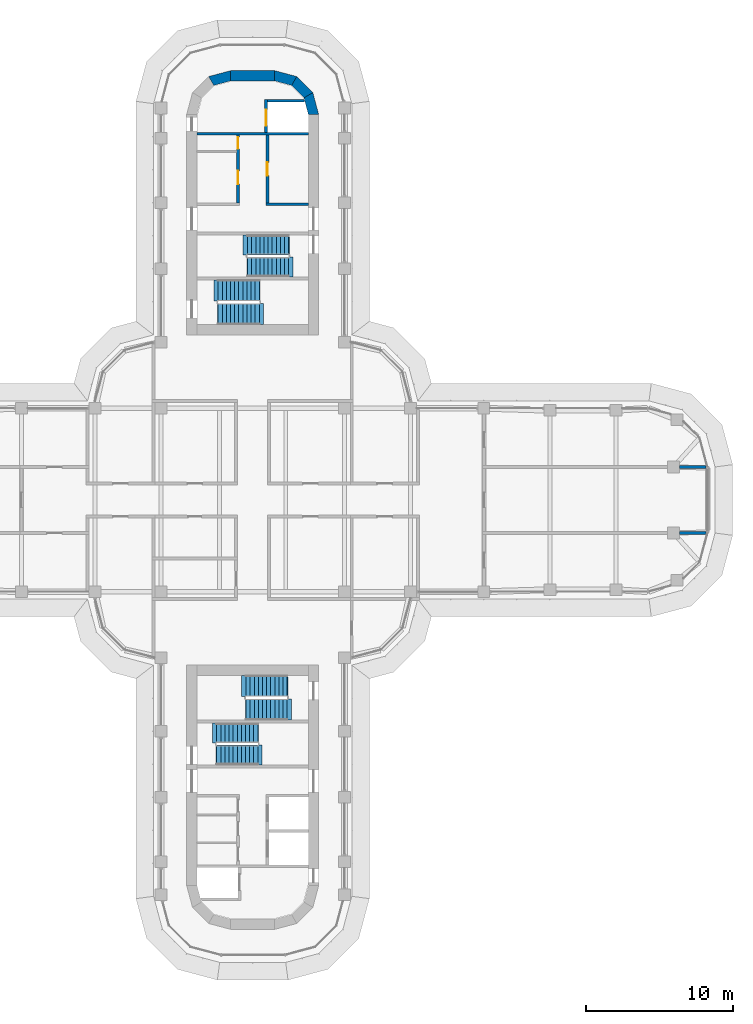
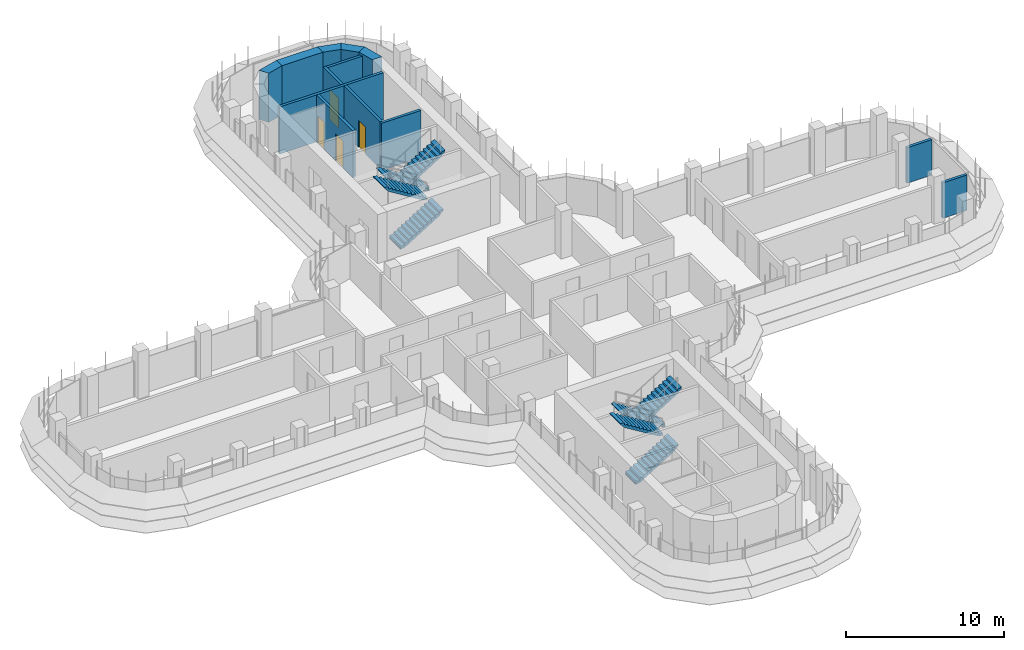
# One storey, part 15 of 19: 13 walls, 8 stair flights, 4 doors, 4 openings, 4 elements without a shape of their own.
"""IFC4 building model written with IfcOpenShell, lengths in metres."""

from ifc_helpers import new_model, si_unit, direction, frame, frame_2d, origin, place, context, subcontext, project, spatial, polyline, rectangle, outline, extrude, material, layer, layer_set, type_object, element, fill, aggregate, save


model = new_model("IFC4")

# Units and contexts
model_context = context("Model", 3, precision=1e-05, world=origin(), true_north=direction((0.0, 1.0)))
body_context = subcontext(model_context, "Body", "Model", "MODEL_VIEW")
ifc_project = project(units=[si_unit("LENGTHUNIT", "METRE"), si_unit("AREAUNIT", "SQUARE_METRE"), si_unit("VOLUMEUNIT", "CUBIC_METRE"), si_unit("PLANEANGLEUNIT", "RADIAN"), si_unit("MASSUNIT", "GRAM", prefix="KILO")], contexts=[model_context])

# Site, building, storey
site_placement = place(None, origin())
site = spatial("IfcSite", under=ifc_project, at=site_placement, CompositionType="ELEMENT")
building_placement = place(site_placement, origin())
building = spatial("IfcBuilding", under=site, at=building_placement, Name="Zarbagh Exchange Tower", CompositionType="ELEMENT")
storey_placement = place(building_placement, frame((0.0, 0.0, 175.199951171875)))
storey = spatial("IfcBuildingStorey", under=building, at=storey_placement, Name="L42", CompositionType="ELEMENT", Elevation=175.199951171875)

# Walls
ifc_material_1 = material(Name="Fire-rated plasterboard partition")
ifc_layer_1 = layer(ifc_material_1, 0.199951171875)
ifc_layer_set_1 = layer_set([ifc_layer_1], Name="RATED PARTITION 200")
wall_type_1 = type_object("IfcWallType", Name="RATED PARTITION 200", PredefinedType="PARTITIONING", material=ifc_layer_set_1)
for number, where, z_axis, x_axis, name in (
    (1, (29.070068359375, -2.25, 0.0), (0.0, 0.0, 1.0), (1.0, 0.0, 0.0), "Partition W-1839"),
    (2, (29.070068359375, 2.25, 0.0), (0.0, 0.0, 1.0), (1.0, 0.0, 0.0), "Partition W-1841"),
):
    element("IfcWall", number, at=place(storey_placement, frame(where, z_axis=z_axis, x_axis=x_axis)), inside=storey, type_object=wall_type_1, Name=name, PredefinedType="PARTITIONING", context=body_context, shape_type="SweptSolid", body=[
        extrude(rectangle(XDim=1.809814453125, YDim=0.199951171875, at=frame_2d((0.90478515625, 0.0))), origin(), (0.0, 0.0, 1.0), 2.75),
    ])
ifc_material_2 = material(Name="Concrete C50/60", Category="concrete")
ifc_layer_2 = layer(ifc_material_2, 0.699951171875)
ifc_layer_set_2 = layer_set([ifc_layer_2], Name="RC core corner wall 700 C50/60")
wall_type_2 = type_object("IfcWallType", Name="RC core corner wall 700 C50/60", PredefinedType="SHEAR", material=ifc_layer_set_2)
wall_1_placement = place(storey_placement, origin())
element("IfcWall", 3, at=wall_1_placement, inside=storey, type_object=wall_type_2, Name="CW6 core N corner W", PredefinedType="SHEAR", context=body_context, shape_type="SweptSolid", body=[
    extrude(outline(polyline([(-3.0, 28.84814453125), (-1.5, 29.25), (-1.5, 28.550048828125), (-2.64990234375, 28.241943359375), (-3.0, 28.84814453125)])), origin(), (0.0, 0.0, 1.0), 3.800048828125),
])
wall_2_placement = place(storey_placement, origin())
element("IfcWall", 4, at=wall_2_placement, inside=storey, type_object=wall_type_2, Name="CW6 core N corner E", PredefinedType="SHEAR", context=body_context, shape_type="SweptSolid", body=[
    extrude(outline(polyline([(4.5, 26.25), (4.09814453125, 27.75), (3.491943359375, 27.39990234375), (3.800048828125, 26.25), (4.5, 26.25)])), origin(), (0.0, 0.0, 1.0), 3.800048828125),
])
wall_3_placement = place(storey_placement, origin())
element("IfcWall", 5, at=wall_3_placement, inside=storey, type_object=wall_type_2, Name="CW6 core N corner E", PredefinedType="SHEAR", context=body_context, shape_type="SweptSolid", body=[
    extrude(outline(polyline([(4.09814453125, 27.75), (3.0, 28.84814453125), (2.64990234375, 28.241943359375), (3.491943359375, 27.39990234375), (4.09814453125, 27.75)])), origin(), (0.0, 0.0, 1.0), 3.800048828125),
])
wall_4_placement = place(storey_placement, origin())
element("IfcWall", 6, at=wall_4_placement, inside=storey, type_object=wall_type_2, Name="CW6 core N corner E", PredefinedType="SHEAR", context=body_context, shape_type="SweptSolid", body=[
    extrude(outline(polyline([(3.0, 28.84814453125), (1.5, 29.25), (1.5, 28.550048828125), (2.64990234375, 28.241943359375), (3.0, 28.84814453125)])), origin(), (0.0, 0.0, 1.0), 3.800048828125),
])
ifc_layer_3 = layer(ifc_material_2, 0.699951171875)
ifc_layer_set_3 = layer_set([ifc_layer_3], Name="RC core wall 700 C50/60")
wall_type_3 = type_object("IfcWallType", Name="RC core wall 700 C50/60", PredefinedType="SHEAR", material=ifc_layer_set_3)
wall_5_placement = place(storey_placement, frame((-1.5, 28.89990234375, 0.0), z_axis=(0.0, 0.0, 1.0), x_axis=(1.0, 0.0, 0.0)))
element("IfcWall", 7, at=wall_5_placement, inside=storey, type_object=wall_type_3, Name="CW5 core N outer end", PredefinedType="SHEAR", context=body_context, shape_type="SweptSolid", body=[
    extrude(rectangle(XDim=3.0, YDim=0.699951171875, at=frame_2d((1.5, 0.0))), origin(), (0.0, 0.0, 1.0), 3.800048828125),
])

# Wall, openings, doors
ifc_material_3 = material(Name="Dense blockwork", Category="masonry")
ifc_layer_4 = layer(ifc_material_3, 0.199951171875)
ifc_layer_set_4 = layer_set([ifc_layer_4], Name="Shaft wall 200 mm blockwork")
wall_type_4 = type_object("IfcWallType", Name="Shaft wall 200 mm blockwork", PredefinedType="PARTITIONING", material=ifc_layer_set_4)
wall_6_placement = place(storey_placement, frame((-1.0, 24.85009765625, 0.0), z_axis=(0.0, 0.0, 1.0), x_axis=(0.0, -1.0, 0.0)))
wall_6 = element("IfcWall", 8, at=wall_6_placement, inside=storey, type_object=wall_type_4, Name="North core shaft wall LW-W", PredefinedType="PARTITIONING", context=body_context, shape_type="SweptSolid", body=[
    extrude(rectangle(XDim=4.60009765625, YDim=0.199951171875, at=frame_2d((2.300048828125, 0.0))), origin(), (0.0, 0.0, 1.0), 3.650146484375),
])
opening_1_placement = place(wall_6_placement, frame((0.125, 0.0, 0.0)))
opening_1 = element("IfcOpeningElement", 9, at=opening_1_placement, cuts=wall_6, Name="Opening CD3-800", PredefinedType="OPENING", context=body_context, shape_type="SweptSolid", body=[
    extrude(rectangle(XDim=0.800048828125, YDim=2.10009765625, at=frame_2d((0.39990234375, 1.050048828125))), frame((0.0, 0.10986328125, 0.0), z_axis=(0.0, -1.0, 0.0), x_axis=(1.0, 0.0, 0.0)), (0.0, 0.0, 1.0), 0.219970703125),
])
opening_2_placement = place(wall_6_placement, frame((2.425048828125, 0.0, 0.0)))
opening_2 = element("IfcOpeningElement", 10, at=opening_2_placement, cuts=wall_6, Name="Opening CD3-900", PredefinedType="OPENING", context=body_context, shape_type="SweptSolid", body=[
    extrude(rectangle(XDim=0.89990234375, YDim=2.10009765625, at=frame_2d((0.449951171875, 1.050048828125))), frame((0.0, 0.10986328125, 0.0), z_axis=(0.0, -1.0, 0.0), x_axis=(1.0, 0.0, 0.0)), (0.0, 0.0, 1.0), 0.219970703125),
])
ifc_material_4 = material(Name="Steel", Category="steel")
door_type_1 = type_object("IfcDoorType", Name="Core room door 800 x 2100", OperationType="NOTDEFINED", PredefinedType="DOOR", material=ifc_material_4)
door_1_placement = place(opening_1_placement, origin())
door_1 = element("IfcDoor", 11, at=door_1_placement, inside=storey, type_object=door_type_1, Name="North core Store door RD-W-0", OperationType="SINGLE_SWING_LEFT", OverallHeight=2.10009765625, OverallWidth=0.800048828125, PredefinedType="DOOR", context=body_context, shape_type="SweptSolid", body=[
    extrude(rectangle(XDim=0.800048828125, YDim=2.10009765625, at=frame_2d((0.39990234375, 1.050048828125))), frame((0.0, 0.02490234375, 0.0), z_axis=(0.0, -1.0, 0.0), x_axis=(1.0, 0.0, 0.0)), (0.0, 0.0, 1.0), 0.050048828125),
])
fill(opening_1, door_1)
door_type_2 = type_object("IfcDoorType", Name="Core room door 900 x 2100", OperationType="NOTDEFINED", PredefinedType="DOOR", material=ifc_material_4)
door_2_placement = place(opening_2_placement, origin())
door_2 = element("IfcDoor", 12, at=door_2_placement, inside=storey, type_object=door_type_2, Name="North core Accessible WC door RD-W-1", OperationType="SINGLE_SWING_LEFT", OverallHeight=2.10009765625, OverallWidth=0.89990234375, PredefinedType="DOOR", context=body_context, shape_type="SweptSolid", body=[
    extrude(rectangle(XDim=0.89990234375, YDim=2.10009765625, at=frame_2d((0.449951171875, 1.050048828125))), frame((0.0, 0.02490234375, 0.0), z_axis=(0.0, -1.0, 0.0), x_axis=(1.0, 0.0, 0.0)), (0.0, 0.0, 1.0), 0.050048828125),
])
fill(opening_2, door_2)

# Wall
wall_7_placement = place(storey_placement, frame((0.89990234375, 20.14990234375, 0.0), z_axis=(0.0, 0.0, 1.0), x_axis=(1.0, 0.0, 0.0)))
element("IfcWall", 13, at=wall_7_placement, inside=storey, type_object=wall_type_4, Name="North core shaft wall AB-E", PredefinedType="PARTITIONING", context=body_context, shape_type="SweptSolid", body=[
    extrude(rectangle(XDim=2.900146484375, YDim=0.199951171875, at=frame_2d((1.4501953125, 0.0))), origin(), (0.0, 0.0, 1.0), 3.650146484375),
])

# Wall, opening, door
wall_8_placement = place(storey_placement, frame((1.0, 24.85009765625, 0.0), z_axis=(0.0, 0.0, 1.0), x_axis=(0.0, -1.0, 0.0)))
wall_8 = element("IfcWall", 14, at=wall_8_placement, inside=storey, type_object=wall_type_4, Name="North core shaft wall LW-E", PredefinedType="PARTITIONING", context=body_context, shape_type="SweptSolid", body=[
    extrude(rectangle(XDim=4.60009765625, YDim=0.199951171875, at=frame_2d((2.300048828125, 0.0))), origin(), (0.0, 0.0, 1.0), 3.650146484375),
])
opening_3_placement = place(wall_8_placement, frame((1.85009765625, 0.0, 0.0)))
opening_3 = element("IfcOpeningElement", 15, at=opening_3_placement, cuts=wall_8, Name="Opening CD3-900", PredefinedType="OPENING", context=body_context, shape_type="SweptSolid", body=[
    extrude(rectangle(XDim=0.89990234375, YDim=2.10009765625, at=frame_2d((0.449951171875, 1.050048828125))), frame((0.0, 0.10986328125, 0.0), z_axis=(0.0, -1.0, 0.0), x_axis=(1.0, 0.0, 0.0)), (0.0, 0.0, 1.0), 0.219970703125),
])
door_3_placement = place(opening_3_placement, origin())
door_3 = element("IfcDoor", 16, at=door_3_placement, inside=storey, type_object=door_type_2, Name="North core Riser store door RD-E-0", OperationType="SINGLE_SWING_RIGHT", OverallHeight=2.10009765625, OverallWidth=0.89990234375, PredefinedType="DOOR", context=body_context, shape_type="SweptSolid", body=[
    extrude(rectangle(XDim=0.89990234375, YDim=2.10009765625, at=frame_2d((0.449951171875, 1.050048828125))), frame((0.0, 0.02490234375, 0.0), z_axis=(0.0, -1.0, 0.0), x_axis=(1.0, 0.0, 0.0)), (0.0, 0.0, 1.0), 0.050048828125),
])
fill(opening_3, door_3)

# Wall
ifc_material_5 = material(Name="Concrete C40/50", Category="concrete")
ifc_layer_5 = layer(ifc_material_5, 0.199951171875)
ifc_layer_set_5 = layer_set([ifc_layer_5], Name="Stair enclosure wall 200 mm RC C40/50")
wall_type_5 = type_object("IfcWallType", Name="Stair enclosure wall 200 mm RC C40/50", PredefinedType="SHEAR", material=ifc_layer_set_5)
wall_9_placement = place(storey_placement, frame((-3.800048828125, 24.949951171875, 0.0), z_axis=(0.0, 0.0, 1.0), x_axis=(1.0, 0.0, 0.0)))
element("IfcWall", 17, at=wall_9_placement, inside=storey, type_object=wall_type_5, Name="North core lift shaft wall FFA", PredefinedType="SHEAR", context=body_context, shape_type="SweptSolid", body=[
    extrude(rectangle(XDim=7.60009765625, YDim=0.199951171875, at=frame_2d((3.800048828125, 0.0))), origin(), (0.0, 0.0, 1.0), 3.650146484375),
])

# Wall, opening, door
wall_10_placement = place(storey_placement, frame((0.89990234375, 27.300048828125, 0.0), z_axis=(0.0, 0.0, 1.0), x_axis=(0.0, -1.0, 0.0)))
wall_10 = element("IfcWall", 18, at=wall_10_placement, inside=storey, type_object=wall_type_5, Name="North core lift shaft wall FFL", PredefinedType="SHEAR", context=body_context, shape_type="SweptSolid", body=[
    extrude(rectangle(XDim=2.25, YDim=0.199951171875, at=frame_2d((1.125, 0.0))), origin(), (0.0, 0.0, 1.0), 3.650146484375),
])
opening_4_placement = place(wall_10_placement, frame((0.699951171875, 0.0, 0.0)))
opening_4 = element("IfcOpeningElement", 19, at=opening_4_placement, cuts=wall_10, Name="Opening LD-1100", PredefinedType="OPENING", context=body_context, shape_type="SweptSolid", body=[
    extrude(rectangle(XDim=1.10009765625, YDim=2.300048828125, at=frame_2d((0.550048828125, 1.14990234375))), frame((0.0, 0.10986328125, 0.0), z_axis=(0.0, -1.0, 0.0), x_axis=(1.0, 0.0, 0.0)), (0.0, 0.0, 1.0), 0.219970703125),
])
ifc_material_6 = material(Name="Stainless steel", Category="steel")
door_type_3 = type_object("IfcDoorType", Name="Lift landing door 1100 x 2300", OperationType="NOTDEFINED", PredefinedType="DOOR", material=ifc_material_6)
door_4_placement = place(opening_4_placement, origin())
door_4 = element("IfcDoor", 20, at=door_4_placement, inside=storey, type_object=door_type_3, Name="North core lift landing door LD-F", OperationType="DOUBLE_DOOR_SLIDING", OverallHeight=2.300048828125, OverallWidth=1.10009765625, PredefinedType="DOOR", context=body_context, shape_type="SweptSolid", body=[
    extrude(rectangle(XDim=1.10009765625, YDim=2.300048828125, at=frame_2d((0.550048828125, 1.14990234375))), frame((0.0, 0.02490234375, 0.0), z_axis=(0.0, -1.0, 0.0), x_axis=(1.0, 0.0, 0.0)), (0.0, 0.0, 1.0), 0.050048828125),
])
fill(opening_4, door_4)

# Wall
wall_11_placement = place(storey_placement, origin())
element("IfcWall", 21, at=wall_11_placement, inside=storey, type_object=wall_type_5, Name="North core lift shaft wall FFX", PredefinedType="SHEAR", context=body_context, shape_type="SweptSolid", body=[
    extrude(outline(polyline([(1.0, 27.10009765625), (3.547607421875, 27.10009765625), (3.493896484375, 27.300048828125), (1.0, 27.300048828125), (1.0, 27.10009765625)])), origin(), (0.0, 0.0, 1.0), 3.650146484375),
])

# Stair, stair flights
stair_type = type_object("IfcStairType", Name="Exit stair two-flight half-turn", PredefinedType="HALF_TURN_STAIR", material=ifc_material_5)
stair_1_placement = place(storey_placement, origin())
stair_1 = element("IfcStair", 22, at=stair_1_placement, inside=storey, type_object=stair_type, Name="exit stair ST1", PredefinedType="HALF_TURN_STAIR")
stair_flight_type_1 = type_object("IfcStairFlightType", Name="Stair flight 1350 mm", PredefinedType="STRAIGHT", material=ifc_material_5)
stair_flight_1_placement = place(storey_placement, frame((2.449951171875, 17.375, 0.0), z_axis=(0.0, 0.0, 1.0), x_axis=(-1.0, 0.0, 0.0)))
stair_flight_1 = element("IfcStairFlight", 23, at=stair_flight_1_placement, type_object=stair_flight_type_1, Name="ST1 flight 1", NumberOfRisers=11, NumberOfTreads=10, PredefinedType="STRAIGHT", RiserHeight=0.172727273, TreadLength=0.28, context=body_context, shape_type="SweptSolid", body=[
    extrude(outline(polyline([(-0.050048828125, -0.050048828125), (-0.050048828125, 0.0), (0.0, 0.0), (0.0, 0.172607421875), (0.280029296875, 0.172607421875), (0.280029296875, 0.345458984375), (0.56005859375, 0.345458984375), (0.56005859375, 0.51806640625), (0.840087890625, 0.51806640625), (0.840087890625, 0.69091796875), (1.1201171875, 0.69091796875), (1.1201171875, 0.863525390625), (1.39990234375, 0.863525390625), (1.39990234375, 1.036376953125), (1.679931640625, 1.036376953125), (1.679931640625, 1.208984375), (1.9599609375, 1.208984375), (1.9599609375, 1.3818359375), (2.239990234375, 1.3818359375), (2.239990234375, 1.554443359375), (2.52001953125, 1.554443359375), (2.52001953125, 1.727294921875), (2.800048828125, 1.727294921875), (2.800048828125, 1.89990234375), (3.10009765625, 1.97998046875), (3.10009765625, 1.89990234375), (2.800048828125, 1.551025390625), (0.285400390625, 0.0), (-0.050048828125, -0.050048828125)])), frame((0.0, 0.675048828125, 0.0), z_axis=(0.0, -1.0, 0.0), x_axis=(1.0, 0.0, 0.0)), (0.0, 0.0, 1.0), 1.35009765625),
])
stair_flight_2_placement = place(storey_placement, frame((-0.35009765625, 15.875, 1.900146484375), z_axis=(0.0, 0.0, 1.0), x_axis=(1.0, 0.0, 0.0)))
stair_flight_2 = element("IfcStairFlight", 24, at=stair_flight_2_placement, type_object=stair_flight_type_1, Name="ST1 flight 2", NumberOfRisers=11, NumberOfTreads=10, PredefinedType="STRAIGHT", RiserHeight=0.172727273, TreadLength=0.28, context=body_context, shape_type="SweptSolid", body=[
    extrude(outline(polyline([(-0.050048828125, -0.050048828125), (-0.050048828125, 0.0), (0.0, 0.0), (0.0, 0.172607421875), (0.280029296875, 0.172607421875), (0.280029296875, 0.345458984375), (0.56005859375, 0.345458984375), (0.56005859375, 0.51806640625), (0.840087890625, 0.51806640625), (0.840087890625, 0.69091796875), (1.1201171875, 0.69091796875), (1.1201171875, 0.863525390625), (1.39990234375, 0.863525390625), (1.39990234375, 1.036376953125), (1.679931640625, 1.036376953125), (1.679931640625, 1.208984375), (1.9599609375, 1.208984375), (1.9599609375, 1.3818359375), (2.239990234375, 1.3818359375), (2.239990234375, 1.554443359375), (2.52001953125, 1.554443359375), (2.52001953125, 1.727294921875), (2.800048828125, 1.727294921875), (2.800048828125, 1.89990234375), (3.10009765625, 1.97998046875), (3.10009765625, 1.89990234375), (2.800048828125, 1.551025390625), (0.285400390625, 0.0), (-0.050048828125, -0.050048828125)])), frame((0.0, 0.675048828125, 0.0), z_axis=(0.0, -1.0, 0.0), x_axis=(1.0, 0.0, 0.0)), (0.0, 0.0, 1.0), 1.35009765625),
])
aggregate(stair_1, [stair_flight_1, stair_flight_2])

stair_2_placement = place(storey_placement, origin())
stair_2 = element("IfcStair", 25, at=stair_2_placement, inside=storey, type_object=stair_type, Name="exit stair ST3", PredefinedType="HALF_TURN_STAIR")
stair_flight_3_placement = place(storey_placement, frame((-2.449951171875, -17.375, 0.0), z_axis=(0.0, 0.0, 1.0), x_axis=(1.0, 0.0, 0.0)))
stair_flight_3 = element("IfcStairFlight", 26, at=stair_flight_3_placement, type_object=stair_flight_type_1, Name="ST3 flight 1", NumberOfRisers=11, NumberOfTreads=10, PredefinedType="STRAIGHT", RiserHeight=0.172727273, TreadLength=0.28, context=body_context, shape_type="SweptSolid", body=[
    extrude(outline(polyline([(-0.050048828125, -0.050048828125), (-0.050048828125, 0.0), (0.0, 0.0), (0.0, 0.172607421875), (0.280029296875, 0.172607421875), (0.280029296875, 0.345458984375), (0.56005859375, 0.345458984375), (0.56005859375, 0.51806640625), (0.840087890625, 0.51806640625), (0.840087890625, 0.69091796875), (1.1201171875, 0.69091796875), (1.1201171875, 0.863525390625), (1.39990234375, 0.863525390625), (1.39990234375, 1.036376953125), (1.679931640625, 1.036376953125), (1.679931640625, 1.208984375), (1.9599609375, 1.208984375), (1.9599609375, 1.3818359375), (2.239990234375, 1.3818359375), (2.239990234375, 1.554443359375), (2.52001953125, 1.554443359375), (2.52001953125, 1.727294921875), (2.800048828125, 1.727294921875), (2.800048828125, 1.89990234375), (3.10009765625, 1.97998046875), (3.10009765625, 1.89990234375), (2.800048828125, 1.551025390625), (0.285400390625, 0.0), (-0.050048828125, -0.050048828125)])), frame((0.0, 0.675048828125, 0.0), z_axis=(0.0, -1.0, 0.0), x_axis=(1.0, 0.0, 0.0)), (0.0, 0.0, 1.0), 1.35009765625),
])
stair_flight_4_placement = place(storey_placement, frame((0.35009765625, -15.875, 1.900146484375), z_axis=(0.0, 0.0, 1.0), x_axis=(-1.0, 0.0, 0.0)))
stair_flight_4 = element("IfcStairFlight", 27, at=stair_flight_4_placement, type_object=stair_flight_type_1, Name="ST3 flight 2", NumberOfRisers=11, NumberOfTreads=10, PredefinedType="STRAIGHT", RiserHeight=0.172727273, TreadLength=0.28, context=body_context, shape_type="SweptSolid", body=[
    extrude(outline(polyline([(-0.050048828125, -0.050048828125), (-0.050048828125, 0.0), (0.0, 0.0), (0.0, 0.172607421875), (0.280029296875, 0.172607421875), (0.280029296875, 0.345458984375), (0.56005859375, 0.345458984375), (0.56005859375, 0.51806640625), (0.840087890625, 0.51806640625), (0.840087890625, 0.69091796875), (1.1201171875, 0.69091796875), (1.1201171875, 0.863525390625), (1.39990234375, 0.863525390625), (1.39990234375, 1.036376953125), (1.679931640625, 1.036376953125), (1.679931640625, 1.208984375), (1.9599609375, 1.208984375), (1.9599609375, 1.3818359375), (2.239990234375, 1.3818359375), (2.239990234375, 1.554443359375), (2.52001953125, 1.554443359375), (2.52001953125, 1.727294921875), (2.800048828125, 1.727294921875), (2.800048828125, 1.89990234375), (3.10009765625, 1.97998046875), (3.10009765625, 1.89990234375), (2.800048828125, 1.551025390625), (0.285400390625, 0.0), (-0.050048828125, -0.050048828125)])), frame((0.0, 0.675048828125, 0.0), z_axis=(0.0, -1.0, 0.0), x_axis=(1.0, 0.0, 0.0)), (0.0, 0.0, 1.0), 1.35009765625),
])
aggregate(stair_2, [stair_flight_3, stair_flight_4])

stair_3_placement = place(storey_placement, origin())
stair_3 = element("IfcStair", 28, at=stair_3_placement, inside=storey, type_object=stair_type, Name="exit stair ST2", PredefinedType="HALF_TURN_STAIR")
stair_flight_type_2 = type_object("IfcStairFlightType", Name="Stair flight 1450 mm", PredefinedType="STRAIGHT", material=ifc_material_5)
stair_flight_5_placement = place(storey_placement, frame((-2.35009765625, 12.675048828125, 0.0), z_axis=(0.0, 0.0, 1.0), x_axis=(1.0, 0.0, 0.0)))
stair_flight_5 = element("IfcStairFlight", 29, at=stair_flight_5_placement, type_object=stair_flight_type_2, Name="ST2 flight 1", NumberOfRisers=11, NumberOfTreads=10, PredefinedType="STRAIGHT", RiserHeight=0.172727273, TreadLength=0.28, context=body_context, shape_type="SweptSolid", body=[
    extrude(outline(polyline([(-0.050048828125, -0.050048828125), (-0.050048828125, 0.0), (0.0, 0.0), (0.0, 0.172607421875), (0.280029296875, 0.172607421875), (0.280029296875, 0.345458984375), (0.56005859375, 0.345458984375), (0.56005859375, 0.51806640625), (0.840087890625, 0.51806640625), (0.840087890625, 0.69091796875), (1.1201171875, 0.69091796875), (1.1201171875, 0.863525390625), (1.39990234375, 0.863525390625), (1.39990234375, 1.036376953125), (1.679931640625, 1.036376953125), (1.679931640625, 1.208984375), (1.9599609375, 1.208984375), (1.9599609375, 1.3818359375), (2.239990234375, 1.3818359375), (2.239990234375, 1.554443359375), (2.52001953125, 1.554443359375), (2.52001953125, 1.727294921875), (2.800048828125, 1.727294921875), (2.800048828125, 1.89990234375), (3.10009765625, 1.97998046875), (3.10009765625, 1.89990234375), (2.800048828125, 1.551025390625), (0.285400390625, 0.0), (-0.050048828125, -0.050048828125)])), frame((0.0, 0.72509765625, 0.0), z_axis=(0.0, -1.0, 0.0), x_axis=(1.0, 0.0, 0.0)), (0.0, 0.0, 1.0), 1.449951171875),
])
stair_flight_6_placement = place(storey_placement, frame((0.449951171875, 14.27490234375, 1.900146484375), z_axis=(0.0, 0.0, 1.0), x_axis=(-1.0, 0.0, 0.0)))
stair_flight_6 = element("IfcStairFlight", 30, at=stair_flight_6_placement, type_object=stair_flight_type_2, Name="ST2 flight 2", NumberOfRisers=11, NumberOfTreads=10, PredefinedType="STRAIGHT", RiserHeight=0.172727273, TreadLength=0.28, context=body_context, shape_type="SweptSolid", body=[
    extrude(outline(polyline([(-0.050048828125, -0.050048828125), (-0.050048828125, 0.0), (0.0, 0.0), (0.0, 0.172607421875), (0.280029296875, 0.172607421875), (0.280029296875, 0.345458984375), (0.56005859375, 0.345458984375), (0.56005859375, 0.51806640625), (0.840087890625, 0.51806640625), (0.840087890625, 0.69091796875), (1.1201171875, 0.69091796875), (1.1201171875, 0.863525390625), (1.39990234375, 0.863525390625), (1.39990234375, 1.036376953125), (1.679931640625, 1.036376953125), (1.679931640625, 1.208984375), (1.9599609375, 1.208984375), (1.9599609375, 1.3818359375), (2.239990234375, 1.3818359375), (2.239990234375, 1.554443359375), (2.52001953125, 1.554443359375), (2.52001953125, 1.727294921875), (2.800048828125, 1.727294921875), (2.800048828125, 1.89990234375), (3.10009765625, 1.97998046875), (3.10009765625, 1.89990234375), (2.800048828125, 1.551025390625), (0.285400390625, 0.0), (-0.050048828125, -0.050048828125)])), frame((0.0, 0.72509765625, 0.0), z_axis=(0.0, -1.0, 0.0), x_axis=(1.0, 0.0, 0.0)), (0.0, 0.0, 1.0), 1.449951171875),
])
aggregate(stair_3, [stair_flight_5, stair_flight_6])

stair_4_placement = place(storey_placement, origin())
stair_4 = element("IfcStair", 31, at=stair_4_placement, inside=storey, type_object=stair_type, Name="exit stair ST4", PredefinedType="HALF_TURN_STAIR")
stair_flight_7_placement = place(storey_placement, frame((2.35009765625, -12.675048828125, 0.0), z_axis=(0.0, 0.0, 1.0), x_axis=(-1.0, 0.0, 0.0)))
stair_flight_7 = element("IfcStairFlight", 32, at=stair_flight_7_placement, type_object=stair_flight_type_2, Name="ST4 flight 1", NumberOfRisers=11, NumberOfTreads=10, PredefinedType="STRAIGHT", RiserHeight=0.172727273, TreadLength=0.28, context=body_context, shape_type="SweptSolid", body=[
    extrude(outline(polyline([(-0.050048828125, -0.050048828125), (-0.050048828125, 0.0), (0.0, 0.0), (0.0, 0.172607421875), (0.280029296875, 0.172607421875), (0.280029296875, 0.345458984375), (0.56005859375, 0.345458984375), (0.56005859375, 0.51806640625), (0.840087890625, 0.51806640625), (0.840087890625, 0.69091796875), (1.1201171875, 0.69091796875), (1.1201171875, 0.863525390625), (1.39990234375, 0.863525390625), (1.39990234375, 1.036376953125), (1.679931640625, 1.036376953125), (1.679931640625, 1.208984375), (1.9599609375, 1.208984375), (1.9599609375, 1.3818359375), (2.239990234375, 1.3818359375), (2.239990234375, 1.554443359375), (2.52001953125, 1.554443359375), (2.52001953125, 1.727294921875), (2.800048828125, 1.727294921875), (2.800048828125, 1.89990234375), (3.10009765625, 1.97998046875), (3.10009765625, 1.89990234375), (2.800048828125, 1.551025390625), (0.285400390625, 0.0), (-0.050048828125, -0.050048828125)])), frame((0.0, 0.72509765625, 0.0), z_axis=(0.0, -1.0, 0.0), x_axis=(1.0, 0.0, 0.0)), (0.0, 0.0, 1.0), 1.449951171875),
])
stair_flight_8_placement = place(storey_placement, frame((-0.449951171875, -14.27490234375, 1.900146484375), z_axis=(0.0, 0.0, 1.0), x_axis=(1.0, 0.0, 0.0)))
stair_flight_8 = element("IfcStairFlight", 33, at=stair_flight_8_placement, type_object=stair_flight_type_2, Name="ST4 flight 2", NumberOfRisers=11, NumberOfTreads=10, PredefinedType="STRAIGHT", RiserHeight=0.172727273, TreadLength=0.28, context=body_context, shape_type="SweptSolid", body=[
    extrude(outline(polyline([(-0.050048828125, -0.050048828125), (-0.050048828125, 0.0), (0.0, 0.0), (0.0, 0.172607421875), (0.280029296875, 0.172607421875), (0.280029296875, 0.345458984375), (0.56005859375, 0.345458984375), (0.56005859375, 0.51806640625), (0.840087890625, 0.51806640625), (0.840087890625, 0.69091796875), (1.1201171875, 0.69091796875), (1.1201171875, 0.863525390625), (1.39990234375, 0.863525390625), (1.39990234375, 1.036376953125), (1.679931640625, 1.036376953125), (1.679931640625, 1.208984375), (1.9599609375, 1.208984375), (1.9599609375, 1.3818359375), (2.239990234375, 1.3818359375), (2.239990234375, 1.554443359375), (2.52001953125, 1.554443359375), (2.52001953125, 1.727294921875), (2.800048828125, 1.727294921875), (2.800048828125, 1.89990234375), (3.10009765625, 1.97998046875), (3.10009765625, 1.89990234375), (2.800048828125, 1.551025390625), (0.285400390625, 0.0), (-0.050048828125, -0.050048828125)])), frame((0.0, 0.72509765625, 0.0), z_axis=(0.0, -1.0, 0.0), x_axis=(1.0, 0.0, 0.0)), (0.0, 0.0, 1.0), 1.449951171875),
])
aggregate(stair_4, [stair_flight_7, stair_flight_8])

save(model, "model.ifc")
